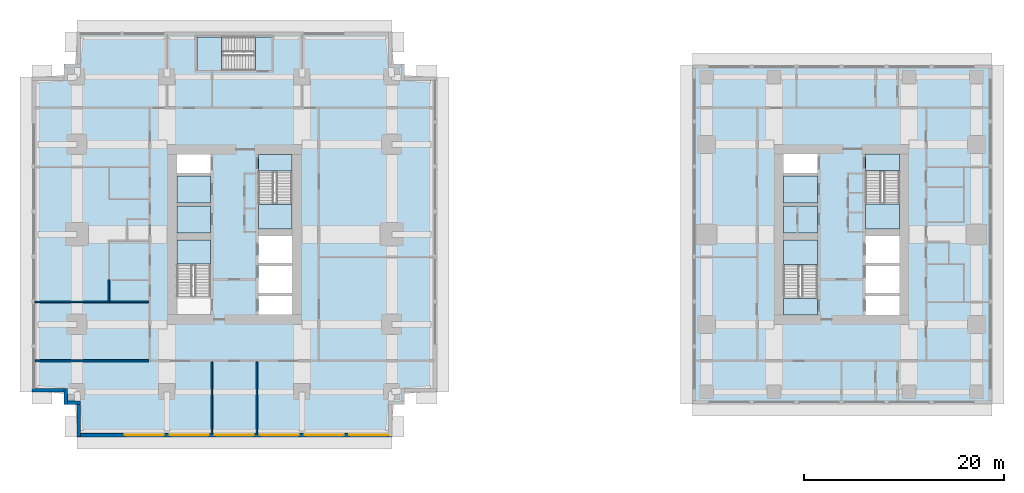
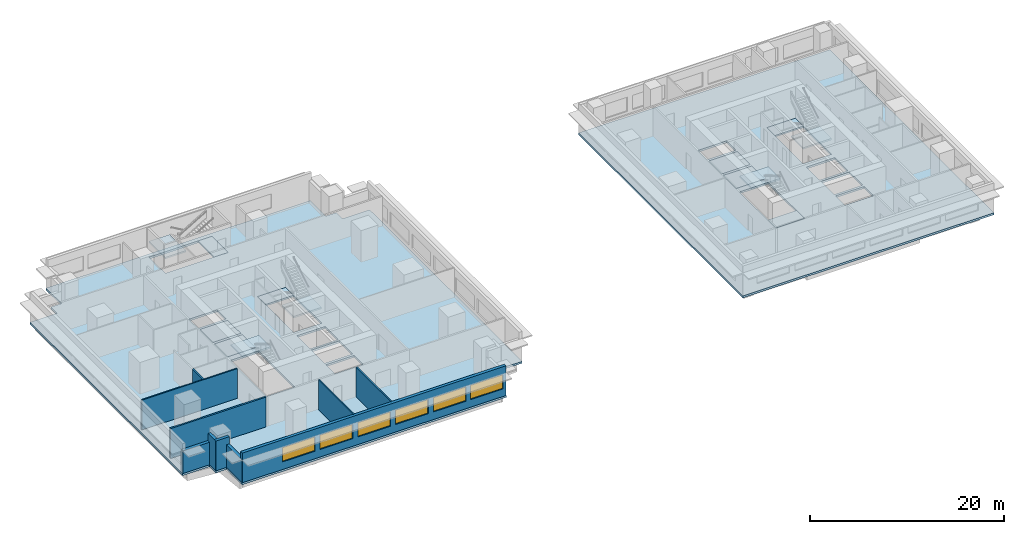
# One storey, part 2 of 11: 15 slabs, 10 walls, 6 windows, 6 openings, 5 elements without a shape of their own.
"""IFC4 building model written with IfcOpenShell, lengths in metres."""

from ifc_helpers import new_model, si_unit, direction, frame, frame_2d, origin, place, context, subcontext, project, spatial, polyline, rectangle, outline, extrude, material, layer, layer_set, type_object, element, fill, aggregate, save


model = new_model("IFC4")

# Units and contexts
model_context = context("Model", 3, precision=1e-05, world=origin(), true_north=direction((0.0, 1.0)))
body_context = subcontext(model_context, "Body", "Model", "MODEL_VIEW")
ifc_project = project(units=[si_unit("LENGTHUNIT", "METRE"), si_unit("AREAUNIT", "SQUARE_METRE"), si_unit("VOLUMEUNIT", "CUBIC_METRE"), si_unit("PLANEANGLEUNIT", "RADIAN"), si_unit("MASSUNIT", "GRAM", prefix="KILO")], contexts=[model_context])

# Site, building, storey
site_placement = place(None, origin())
site = spatial("IfcSite", under=ifc_project, at=site_placement, CompositionType="ELEMENT")
building_placement = place(site_placement, origin())
building = spatial("IfcBuilding", under=site, at=building_placement, Name="Namib Vertical Campus", CompositionType="ELEMENT")
storey_placement = place(building_placement, frame((0.0, 0.0, 197.0)))
storey = spatial("IfcBuildingStorey", under=building, at=storey_placement, Name="L46", CompositionType="ELEMENT", Elevation=197.0)

# Slabs
ifc_material_1 = material(Name="Concrete C40/50", Category="concrete")
ifc_layer_1 = layer(ifc_material_1, 0.25)
ifc_layer_set_1 = layer_set([ifc_layer_1], Name="Concrete C40/50")
slab_type_1 = type_object("IfcSlabType", Name="Floor slab 250", PredefinedType="FLOOR", material=ifc_layer_set_1)
slab_1_placement = place(storey_placement, frame((0.0, 0.0, -0.25)))
element("IfcSlab", 1, at=slab_1_placement, inside=storey, type_object=slab_type_1, Name="Floor slab A L46", PredefinedType="FLOOR", context=body_context, shape_type="SweptSolid", body=[
    extrude(outline(polyline([(4.5, 0.0), (36.0, 0.0), (36.0, 3.22509765625), (37.27490234375, 3.22509765625), (37.27490234375, 4.5), (40.5, 4.5), (40.5, 36.0), (37.27490234375, 36.0), (37.27490234375, 37.27490234375), (36.0, 37.27490234375), (36.0, 40.5), (4.5, 40.5), (4.5, 37.27490234375), (3.22509765625, 37.27490234375), (3.22509765625, 36.0), (0.0, 36.0), (0.0, 4.5), (3.22509765625, 4.5), (3.22509765625, 3.22509765625), (4.5, 3.22509765625), (4.5, 0.0)]), holes=[polyline([(14.5, 12.25), (17.85009765625, 12.25), (17.85009765625, 19.699951171875), (14.5, 19.699951171875), (14.5, 12.25)]), polyline([(22.64990234375, 20.800048828125), (26.0, 20.800048828125), (26.0, 28.25), (22.64990234375, 28.25), (22.64990234375, 20.800048828125)]), polyline([(22.64990234375, 12.25), (26.0, 12.25), (26.0, 14.10009765625), (22.64990234375, 14.10009765625), (22.64990234375, 12.25)]), polyline([(14.5, 20.39990234375), (17.85009765625, 20.39990234375), (17.85009765625, 23.10009765625), (14.5, 23.10009765625), (14.5, 20.39990234375)]), polyline([(14.5, 23.39990234375), (17.85009765625, 23.39990234375), (17.85009765625, 26.10009765625), (14.5, 26.10009765625), (14.5, 23.39990234375)]), polyline([(14.5, 26.39990234375), (17.85009765625, 26.39990234375), (17.85009765625, 28.25), (14.5, 28.25), (14.5, 26.39990234375)]), polyline([(22.64990234375, 14.39990234375), (26.0, 14.39990234375), (26.0, 17.10009765625), (22.64990234375, 17.10009765625), (22.64990234375, 14.39990234375)]), polyline([(22.64990234375, 17.39990234375), (26.0, 17.39990234375), (26.0, 20.10009765625), (22.64990234375, 20.10009765625), (22.64990234375, 17.39990234375)]), polyline([(16.5, 36.64990234375), (24.0, 36.64990234375), (24.0, 40.0), (16.5, 40.0), (16.5, 36.64990234375)])]), origin(), (0.0, 0.0, 1.0), 0.25),
])
slab_2_placement = place(storey_placement, frame((0.0, 0.0, -0.25)))
element("IfcSlab", 2, at=slab_2_placement, inside=storey, type_object=slab_type_1, Name="Floor slab B L46", PredefinedType="FLOOR", context=body_context, shape_type="SweptSolid", body=[
    extrude(outline(polyline([(66.10009765625, 3.300048828125), (96.050048828125, 3.300048828125), (96.050048828125, 37.199951171875), (66.10009765625, 37.199951171875), (66.10009765625, 3.300048828125)]), holes=[polyline([(75.199951171875, 12.199951171875), (78.60009765625, 12.199951171875), (78.60009765625, 19.699951171875), (75.199951171875, 19.699951171875), (75.199951171875, 12.199951171875)]), polyline([(83.39990234375, 20.800048828125), (86.800048828125, 20.800048828125), (86.800048828125, 28.300048828125), (83.39990234375, 28.300048828125), (83.39990234375, 20.800048828125)]), polyline([(83.39990234375, 12.199951171875), (86.800048828125, 12.199951171875), (86.800048828125, 14.10009765625), (83.39990234375, 14.10009765625), (83.39990234375, 12.199951171875)]), polyline([(75.199951171875, 20.39990234375), (78.60009765625, 20.39990234375), (78.60009765625, 23.10009765625), (75.199951171875, 23.10009765625), (75.199951171875, 20.39990234375)]), polyline([(75.199951171875, 23.39990234375), (78.60009765625, 23.39990234375), (78.60009765625, 26.10009765625), (75.199951171875, 26.10009765625), (75.199951171875, 23.39990234375)]), polyline([(75.199951171875, 26.39990234375), (78.60009765625, 26.39990234375), (78.60009765625, 28.300048828125), (75.199951171875, 28.300048828125), (75.199951171875, 26.39990234375)]), polyline([(83.39990234375, 14.39990234375), (86.800048828125, 14.39990234375), (86.800048828125, 17.10009765625), (83.39990234375, 17.10009765625), (83.39990234375, 14.39990234375)]), polyline([(83.39990234375, 17.39990234375), (86.800048828125, 17.39990234375), (86.800048828125, 20.10009765625), (83.39990234375, 20.10009765625), (83.39990234375, 17.39990234375)])]), origin(), (0.0, 0.0, 1.0), 0.25),
])
ifc_material_2 = material(Name="Concrete C40/50 precast", Category="concrete")
ifc_layer_2 = layer(ifc_material_2, 0.25)
ifc_layer_set_2 = layer_set([ifc_layer_2], Name="Concrete C40/50 precast")
slab_type_2 = type_object("IfcSlabType", Name="Shaft infill floor 250", PredefinedType="FLOOR", material=ifc_layer_set_2)
slab_3_placement = place(storey_placement, frame((0.0, 0.0, -0.25)))
element("IfcSlab", 3, at=slab_3_placement, inside=storey, type_object=slab_type_2, Name="Shaft infill floor A L46 P1", PredefinedType="FLOOR", context=body_context, shape_type="SweptSolid", body=[
    extrude(outline(polyline([(14.5, 20.39990234375), (17.85009765625, 20.39990234375), (17.85009765625, 23.10009765625), (14.5, 23.10009765625), (14.5, 20.39990234375)])), origin(), (0.0, 0.0, 1.0), 0.25),
])
slab_4_placement = place(storey_placement, frame((0.0, 0.0, -0.25)))
element("IfcSlab", 4, at=slab_4_placement, inside=storey, type_object=slab_type_2, Name="Shaft infill floor A L46 P2", PredefinedType="FLOOR", context=body_context, shape_type="SweptSolid", body=[
    extrude(outline(polyline([(14.5, 23.39990234375), (17.85009765625, 23.39990234375), (17.85009765625, 26.10009765625), (14.5, 26.10009765625), (14.5, 23.39990234375)])), origin(), (0.0, 0.0, 1.0), 0.25),
])
slab_5_placement = place(storey_placement, frame((0.0, 0.0, -0.25)))
element("IfcSlab", 5, at=slab_5_placement, inside=storey, type_object=slab_type_2, Name="Shaft infill floor B L46 P1", PredefinedType="FLOOR", context=body_context, shape_type="SweptSolid", body=[
    extrude(outline(polyline([(75.199951171875, 20.39990234375), (78.60009765625, 20.39990234375), (78.60009765625, 23.10009765625), (75.199951171875, 23.10009765625), (75.199951171875, 20.39990234375)])), origin(), (0.0, 0.0, 1.0), 0.25),
])
slab_6_placement = place(storey_placement, frame((0.0, 0.0, -0.25)))
element("IfcSlab", 6, at=slab_6_placement, inside=storey, type_object=slab_type_2, Name="Shaft infill floor B L46 P2", PredefinedType="FLOOR", context=body_context, shape_type="SweptSolid", body=[
    extrude(outline(polyline([(75.199951171875, 23.39990234375), (78.60009765625, 23.39990234375), (78.60009765625, 26.10009765625), (75.199951171875, 26.10009765625), (75.199951171875, 23.39990234375)])), origin(), (0.0, 0.0, 1.0), 0.25),
])

# Stair, slab
ifc_material_3 = material(Name="Concrete C40/50 precast", Category="concrete")
stair_type_1 = type_object("IfcStairType", Name="Exit stair 4000 rise 24 risers 3350 wide", PredefinedType="HALF_TURN_STAIR", material=ifc_material_3)
stair_1_placement = place(storey_placement, origin())
stair_1 = element("IfcStair", 7, at=stair_1_placement, inside=storey, type_object=stair_type_1, Name="Exit stair A-S1 L46", PredefinedType="HALF_TURN_STAIR")
ifc_material_4 = material(Name="Concrete C40/50", Category="concrete")
ifc_layer_3 = layer(ifc_material_4, 0.199951171875)
ifc_layer_set_3 = layer_set([ifc_layer_3], Name="Concrete C40/50")
slab_type_3 = type_object("IfcSlabType", Name="Stair landing 200", PredefinedType="LANDING", material=ifc_layer_set_3)
slab_7_placement = place(storey_placement, frame((0.0, 0.0, 1.800048828125)))
slab_7 = element("IfcSlab", 8, at=slab_7_placement, type_object=slab_type_3, Name="A-S1 landing 2", PredefinedType="LANDING", context=body_context, shape_type="SweptSolid", body=[
    extrude(outline(polyline([(14.5, 17.276123046875), (17.85009765625, 17.276123046875), (17.85009765625, 19.699951171875), (14.5, 19.699951171875), (14.5, 17.276123046875)])), origin(), (0.0, 0.0, 1.0), 0.199951171875),
])
aggregate(stair_1, [slab_7])

# Stair, slabs
stair_2_placement = place(storey_placement, origin())
stair_2 = element("IfcStair", 9, at=stair_2_placement, inside=storey, type_object=stair_type_1, Name="Exit stair A-S2 L46", PredefinedType="HALF_TURN_STAIR")
slab_8_placement = place(storey_placement, frame((0.0, 0.0, -0.199951171875)))
slab_8 = element("IfcSlab", 10, at=slab_8_placement, type_object=slab_type_3, Name="A-S2 landing 1", PredefinedType="LANDING", context=body_context, shape_type="SweptSolid", body=[
    extrude(outline(polyline([(22.64990234375, 26.59619140625), (26.0, 26.59619140625), (26.0, 28.25), (22.64990234375, 28.25), (22.64990234375, 26.59619140625)])), origin(), (0.0, 0.0, 1.0), 0.199951171875),
])
slab_9_placement = place(storey_placement, frame((0.0, 0.0, 1.800048828125)))
slab_9 = element("IfcSlab", 11, at=slab_9_placement, type_object=slab_type_3, Name="A-S2 landing 2", PredefinedType="LANDING", context=body_context, shape_type="SweptSolid", body=[
    extrude(outline(polyline([(22.64990234375, 20.800048828125), (26.0, 20.800048828125), (26.0, 23.223876953125), (22.64990234375, 23.223876953125), (22.64990234375, 20.800048828125)])), origin(), (0.0, 0.0, 1.0), 0.199951171875),
])
aggregate(stair_2, [slab_8, slab_9])

ifc_material_5 = material(Name="Concrete C40/50 precast", Category="concrete")
stair_type_2 = type_object("IfcStairType", Name="Exit stair 4000 rise 24 risers 3400 wide", PredefinedType="HALF_TURN_STAIR", material=ifc_material_5)
stair_3_placement = place(storey_placement, origin())
stair_3 = element("IfcStair", 12, at=stair_3_placement, inside=storey, type_object=stair_type_2, Name="Exit stair B-S1 L46", PredefinedType="HALF_TURN_STAIR")
slab_10_placement = place(storey_placement, frame((0.0, 0.0, -0.199951171875)))
slab_10 = element("IfcSlab", 13, at=slab_10_placement, type_object=slab_type_3, Name="B-S1 landing 1", PredefinedType="LANDING", context=body_context, shape_type="SweptSolid", body=[
    extrude(outline(polyline([(75.199951171875, 12.199951171875), (78.60009765625, 12.199951171875), (78.60009765625, 13.85400390625), (75.199951171875, 13.85400390625), (75.199951171875, 12.199951171875)])), origin(), (0.0, 0.0, 1.0), 0.199951171875),
])
slab_11_placement = place(storey_placement, frame((0.0, 0.0, 1.800048828125)))
slab_11 = element("IfcSlab", 14, at=slab_11_placement, type_object=slab_type_3, Name="B-S1 landing 2", PredefinedType="LANDING", context=body_context, shape_type="SweptSolid", body=[
    extrude(outline(polyline([(75.199951171875, 17.22607421875), (78.60009765625, 17.22607421875), (78.60009765625, 19.699951171875), (75.199951171875, 19.699951171875), (75.199951171875, 17.22607421875)])), origin(), (0.0, 0.0, 1.0), 0.199951171875),
])
aggregate(stair_3, [slab_10, slab_11])

stair_4_placement = place(storey_placement, origin())
stair_4 = element("IfcStair", 15, at=stair_4_placement, inside=storey, type_object=stair_type_2, Name="Exit stair B-S2 L46", PredefinedType="HALF_TURN_STAIR")
slab_12_placement = place(storey_placement, frame((0.0, 0.0, -0.199951171875)))
slab_12 = element("IfcSlab", 16, at=slab_12_placement, type_object=slab_type_3, Name="B-S2 landing 1", PredefinedType="LANDING", context=body_context, shape_type="SweptSolid", body=[
    extrude(outline(polyline([(83.39990234375, 26.64599609375), (86.800048828125, 26.64599609375), (86.800048828125, 28.300048828125), (83.39990234375, 28.300048828125), (83.39990234375, 26.64599609375)])), origin(), (0.0, 0.0, 1.0), 0.199951171875),
])
slab_13_placement = place(storey_placement, frame((0.0, 0.0, 1.800048828125)))
slab_13 = element("IfcSlab", 17, at=slab_13_placement, type_object=slab_type_3, Name="B-S2 landing 2", PredefinedType="LANDING", context=body_context, shape_type="SweptSolid", body=[
    extrude(outline(polyline([(83.39990234375, 20.800048828125), (86.800048828125, 20.800048828125), (86.800048828125, 23.27392578125), (83.39990234375, 23.27392578125), (83.39990234375, 20.800048828125)])), origin(), (0.0, 0.0, 1.0), 0.199951171875),
])
aggregate(stair_4, [slab_12, slab_13])

stair_5_placement = place(storey_placement, origin())
stair_5 = element("IfcStair", 18, at=stair_5_placement, inside=storey, type_object=stair_type_1, Name="Exit stair A-S3 L46", PredefinedType="HALF_TURN_STAIR")
slab_14_placement = place(storey_placement, frame((0.0, 0.0, -0.199951171875)))
slab_14 = element("IfcSlab", 19, at=slab_14_placement, type_object=slab_type_3, Name="A-S3 landing 1", PredefinedType="LANDING", context=body_context, shape_type="SweptSolid", body=[
    extrude(outline(polyline([(22.34619140625, 36.64990234375), (22.34619140625, 40.0), (24.0, 40.0), (24.0, 36.64990234375), (22.34619140625, 36.64990234375)])), origin(), (0.0, 0.0, 1.0), 0.199951171875),
])
slab_15_placement = place(storey_placement, frame((0.0, 0.0, 1.800048828125)))
slab_15 = element("IfcSlab", 20, at=slab_15_placement, type_object=slab_type_3, Name="A-S3 landing 2", PredefinedType="LANDING", context=body_context, shape_type="SweptSolid", body=[
    extrude(outline(polyline([(16.5, 36.64990234375), (16.5, 40.0), (18.973876953125, 40.0), (18.973876953125, 36.64990234375), (16.5, 36.64990234375)])), origin(), (0.0, 0.0, 1.0), 0.199951171875),
])
aggregate(stair_5, [slab_14, slab_15])

# Wall
ifc_material_6 = material(Name="Concrete masonry", Category="masonry")
ifc_layer_4 = layer(ifc_material_6, 0.199951171875)
ifc_layer_set_4 = layer_set([ifc_layer_4], Name="Corridor wall 200")
wall_type_1 = type_object("IfcWallType", Name="Corridor wall 200", PredefinedType="SOLIDWALL", material=ifc_layer_set_4)
wall_1_placement = place(storey_placement, frame((0.300048828125, 7.60009765625, 0.0), z_axis=(0.0, 0.0, 1.0), x_axis=(1.0, 0.0, 0.0)))
element("IfcWall", 21, at=wall_1_placement, inside=storey, type_object=wall_type_1, Name="Partition A L46 BSW", PredefinedType="SOLIDWALL", context=body_context, shape_type="SweptSolid", body=[
    extrude(rectangle(XDim=11.39990234375, YDim=0.199951171875, at=frame_2d((5.699951171875, 0.0))), origin(), (0.0, 0.0, 1.0), 3.75),
])

# Wall, openings, windows
ifc_material_7 = material(Name="Concrete C40/50", Category="concrete")
ifc_layer_5 = layer(ifc_material_7, 0.35009765625)
ifc_layer_set_5 = layer_set([ifc_layer_5], Name="Concrete C40/50")
wall_type_2 = type_object("IfcWallType", Name="External wall 350 bush-hammered concrete", PredefinedType="STANDARD", material=ifc_layer_set_5)
wall_2_placement = place(storey_placement, frame((4.52001953125, 0.175048828125, 0.0), z_axis=(0.0, 0.0, 1.0), x_axis=(1.0, 0.0, 0.0)))
wall_2 = element("IfcWall", 22, at=wall_2_placement, inside=storey, type_object=wall_type_2, Name="External wall L46 F01", PredefinedType="STANDARD", context=body_context, shape_type="SweptSolid", body=[
    extrude(rectangle(XDim=31.4599609375, YDim=0.35009765625, at=frame_2d((15.72998046875, 0.0))), origin(), (0.0, 0.0, 1.0), 3.75),
])
opening_1_placement = place(wall_2_placement, frame((4.780029296875, 0.0, 0.949951171875)))
opening_1 = element("IfcOpeningElement", 23, at=opening_1_placement, cuts=wall_2, Name="Opening W3", PredefinedType="OPENING", context=body_context, shape_type="SweptSolid", body=[
    extrude(rectangle(XDim=3.89990234375, YDim=1.800048828125, at=frame_2d((1.949951171875, 0.89990234375))), frame((0.0, 0.18505859375, 0.0), z_axis=(0.0, -1.0, 0.0), x_axis=(1.0, 0.0, 0.0)), (0.0, 0.0, 1.0), 0.3701171875),
])
opening_2_placement = place(wall_2_placement, frame((9.280029296875, 0.0, 0.949951171875)))
opening_2 = element("IfcOpeningElement", 24, at=opening_2_placement, cuts=wall_2, Name="Opening W3", PredefinedType="OPENING", context=body_context, shape_type="SweptSolid", body=[
    extrude(rectangle(XDim=3.89990234375, YDim=1.800048828125, at=frame_2d((1.949951171875, 0.89990234375))), frame((0.0, 0.18505859375, 0.0), z_axis=(0.0, -1.0, 0.0), x_axis=(1.0, 0.0, 0.0)), (0.0, 0.0, 1.0), 0.3701171875),
])
opening_3_placement = place(wall_2_placement, frame((13.780029296875, 0.0, 0.949951171875)))
opening_3 = element("IfcOpeningElement", 25, at=opening_3_placement, cuts=wall_2, Name="Opening W3", PredefinedType="OPENING", context=body_context, shape_type="SweptSolid", body=[
    extrude(rectangle(XDim=3.89990234375, YDim=1.800048828125, at=frame_2d((1.949951171875, 0.89990234375))), frame((0.0, 0.18505859375, 0.0), z_axis=(0.0, -1.0, 0.0), x_axis=(1.0, 0.0, 0.0)), (0.0, 0.0, 1.0), 0.3701171875),
])
opening_4_placement = place(wall_2_placement, frame((18.280029296875, 0.0, 0.949951171875)))
opening_4 = element("IfcOpeningElement", 26, at=opening_4_placement, cuts=wall_2, Name="Opening W3", PredefinedType="OPENING", context=body_context, shape_type="SweptSolid", body=[
    extrude(rectangle(XDim=3.89990234375, YDim=1.800048828125, at=frame_2d((1.949951171875, 0.89990234375))), frame((0.0, 0.18505859375, 0.0), z_axis=(0.0, -1.0, 0.0), x_axis=(1.0, 0.0, 0.0)), (0.0, 0.0, 1.0), 0.3701171875),
])
opening_5_placement = place(wall_2_placement, frame((22.780029296875, 0.0, 0.949951171875)))
opening_5 = element("IfcOpeningElement", 27, at=opening_5_placement, cuts=wall_2, Name="Opening W3", PredefinedType="OPENING", context=body_context, shape_type="SweptSolid", body=[
    extrude(rectangle(XDim=3.89990234375, YDim=1.800048828125, at=frame_2d((1.949951171875, 0.89990234375))), frame((0.0, 0.18505859375, 0.0), z_axis=(0.0, -1.0, 0.0), x_axis=(1.0, 0.0, 0.0)), (0.0, 0.0, 1.0), 0.3701171875),
])
opening_6_placement = place(wall_2_placement, frame((27.2099609375, 0.0, 0.949951171875)))
opening_6 = element("IfcOpeningElement", 28, at=opening_6_placement, cuts=wall_2, Name="Opening W3", PredefinedType="OPENING", context=body_context, shape_type="SweptSolid", body=[
    extrude(rectangle(XDim=3.89990234375, YDim=1.800048828125, at=frame_2d((1.949951171875, 0.89990234375))), frame((0.0, 0.18505859375, 0.0), z_axis=(0.0, -1.0, 0.0), x_axis=(1.0, 0.0, 0.0)), (0.0, 0.0, 1.0), 0.3701171875),
])
ifc_material_8 = material(Name="Dark tinted glass in black aluminium frame", Category="aluminium")
window_type = type_object("IfcWindowType", Name="Ribbon window 3900x1800", PartitioningType="SINGLE_PANEL", PredefinedType="WINDOW", material=ifc_material_8)
window_1_placement = place(opening_1_placement, origin())
window_1 = element("IfcWindow", 29, at=window_1_placement, inside=storey, type_object=window_type, Name="Window W3 L46 F01-2", OverallHeight=1.800048828125, OverallWidth=3.89990234375, PartitioningType="SINGLE_PANEL", PredefinedType="WINDOW", context=body_context, shape_type="SweptSolid", body=[
    extrude(rectangle(XDim=3.89990234375, YDim=1.800048828125, at=frame_2d((1.949951171875, 0.89990234375))), frame((0.0, 0.030029296875, 0.0), z_axis=(0.0, -1.0, 0.0), x_axis=(1.0, 0.0, 0.0)), (0.0, 0.0, 1.0), 0.06005859375),
])
fill(opening_1, window_1)
window_2_placement = place(opening_2_placement, origin())
window_2 = element("IfcWindow", 30, at=window_2_placement, inside=storey, type_object=window_type, Name="Window W3 L46 F01-3", OverallHeight=1.800048828125, OverallWidth=3.89990234375, PartitioningType="SINGLE_PANEL", PredefinedType="WINDOW", context=body_context, shape_type="SweptSolid", body=[
    extrude(rectangle(XDim=3.89990234375, YDim=1.800048828125, at=frame_2d((1.949951171875, 0.89990234375))), frame((0.0, 0.030029296875, 0.0), z_axis=(0.0, -1.0, 0.0), x_axis=(1.0, 0.0, 0.0)), (0.0, 0.0, 1.0), 0.06005859375),
])
fill(opening_2, window_2)
window_3_placement = place(opening_3_placement, origin())
window_3 = element("IfcWindow", 31, at=window_3_placement, inside=storey, type_object=window_type, Name="Window W3 L46 F01-4", OverallHeight=1.800048828125, OverallWidth=3.89990234375, PartitioningType="SINGLE_PANEL", PredefinedType="WINDOW", context=body_context, shape_type="SweptSolid", body=[
    extrude(rectangle(XDim=3.89990234375, YDim=1.800048828125, at=frame_2d((1.949951171875, 0.89990234375))), frame((0.0, 0.030029296875, 0.0), z_axis=(0.0, -1.0, 0.0), x_axis=(1.0, 0.0, 0.0)), (0.0, 0.0, 1.0), 0.06005859375),
])
fill(opening_3, window_3)
window_4_placement = place(opening_4_placement, origin())
window_4 = element("IfcWindow", 32, at=window_4_placement, inside=storey, type_object=window_type, Name="Window W3 L46 F01-5", OverallHeight=1.800048828125, OverallWidth=3.89990234375, PartitioningType="SINGLE_PANEL", PredefinedType="WINDOW", context=body_context, shape_type="SweptSolid", body=[
    extrude(rectangle(XDim=3.89990234375, YDim=1.800048828125, at=frame_2d((1.949951171875, 0.89990234375))), frame((0.0, 0.030029296875, 0.0), z_axis=(0.0, -1.0, 0.0), x_axis=(1.0, 0.0, 0.0)), (0.0, 0.0, 1.0), 0.06005859375),
])
fill(opening_4, window_4)
window_5_placement = place(opening_5_placement, origin())
window_5 = element("IfcWindow", 33, at=window_5_placement, inside=storey, type_object=window_type, Name="Window W3 L46 F01-6", OverallHeight=1.800048828125, OverallWidth=3.89990234375, PartitioningType="SINGLE_PANEL", PredefinedType="WINDOW", context=body_context, shape_type="SweptSolid", body=[
    extrude(rectangle(XDim=3.89990234375, YDim=1.800048828125, at=frame_2d((1.949951171875, 0.89990234375))), frame((0.0, 0.030029296875, 0.0), z_axis=(0.0, -1.0, 0.0), x_axis=(1.0, 0.0, 0.0)), (0.0, 0.0, 1.0), 0.06005859375),
])
fill(opening_5, window_5)
window_6_placement = place(opening_6_placement, origin())
window_6 = element("IfcWindow", 34, at=window_6_placement, inside=storey, type_object=window_type, Name="Window W3 L46 F01-7", OverallHeight=1.800048828125, OverallWidth=3.89990234375, PartitioningType="SINGLE_PANEL", PredefinedType="WINDOW", context=body_context, shape_type="SweptSolid", body=[
    extrude(rectangle(XDim=3.89990234375, YDim=1.800048828125, at=frame_2d((1.949951171875, 0.89990234375))), frame((0.0, 0.030029296875, 0.0), z_axis=(0.0, -1.0, 0.0), x_axis=(1.0, 0.0, 0.0)), (0.0, 0.0, 1.0), 0.06005859375),
])
fill(opening_6, window_6)

# Walls
wall_3_placement = place(storey_placement, frame((0.02001953125, 4.675048828125, 0.0), z_axis=(0.0, 0.0, 1.0), x_axis=(1.0, 0.0, 0.0)))
element("IfcWall", 35, at=wall_3_placement, inside=storey, type_object=wall_type_2, Name="External wall L46 F17", PredefinedType="STANDARD", context=body_context, shape_type="SweptSolid", body=[
    extrude(rectangle(XDim=3.534912109375, YDim=0.35009765625, at=frame_2d((1.767578125, 0.0))), origin(), (0.0, 0.0, 1.0), 2.85009765625),
])
for number, where, z_axis, x_axis, name in (
    (36, (3.39990234375, 4.830078125, 0.0), (0.0, 0.0, 1.0), (0.0, -1.0, 0.0), "External wall L46 F18"),
    (37, (3.2451171875, 3.39990234375, 0.0), (0.0, 0.0, 1.0), (1.0, 0.0, 0.0), "External wall L46 F19"),
):
    element("IfcWall", number, at=place(storey_placement, frame(where, z_axis=z_axis, x_axis=x_axis)), inside=storey, type_object=wall_type_2, Name=name, PredefinedType="STANDARD", context=body_context, shape_type="SweptSolid", body=[
        extrude(rectangle(XDim=1.5849609375, YDim=0.35009765625, at=frame_2d((0.79248046875, 0.0))), origin(), (0.0, 0.0, 1.0), 3.75),
    ])
wall_4_placement = place(storey_placement, frame((4.675048828125, 3.554931640625, 0.0), z_axis=(0.0, 0.0, 1.0), x_axis=(0.0, -1.0, 0.0)))
element("IfcWall", 38, at=wall_4_placement, inside=storey, type_object=wall_type_2, Name="External wall L46 F20", PredefinedType="STANDARD", context=body_context, shape_type="SweptSolid", body=[
    extrude(rectangle(XDim=3.534912109375, YDim=0.35009765625, at=frame_2d((1.767578125, 0.0))), origin(), (0.0, 0.0, 1.0), 2.85009765625),
])
ifc_material_9 = material(Name="Gypsum board on steel studs", Category="steel")
ifc_layer_6 = layer(ifc_material_9, 0.14990234375)
ifc_layer_set_6 = layer_set([ifc_layer_6], Name="Gypsum board on steel studs")
wall_type_3 = type_object("IfcWallType", Name="Partition 150", PredefinedType="PARTITIONING", material=ifc_layer_set_6)
for number, where, z_axis, x_axis, name in (
    (39, (18.0, 0.300048828125, 0.0), (0.0, 0.0, 1.0), (0.0, 1.0, 0.0), "Partition A L46 PS1"),
    (40, (22.5, 0.300048828125, 0.0), (0.0, 0.0, 1.0), (0.0, 1.0, 0.0), "Partition A L46 PS2"),
):
    element("IfcWall", number, at=place(storey_placement, frame(where, z_axis=z_axis, x_axis=x_axis)), inside=storey, type_object=wall_type_3, Name=name, PredefinedType="PARTITIONING", context=body_context, shape_type="SweptSolid", body=[
        extrude(rectangle(XDim=7.199951171875, YDim=0.14990234375, at=frame_2d((3.60009765625, 0.0))), origin(), (0.0, 0.0, 1.0), 3.75),
    ])
wall_5_placement = place(storey_placement, frame((0.300048828125, 13.5, 0.0), z_axis=(0.0, 0.0, 1.0), x_axis=(1.0, 0.0, 0.0)))
element("IfcWall", 41, at=wall_5_placement, inside=storey, type_object=wall_type_3, Name="Partition A L46 PW1", PredefinedType="PARTITIONING", context=body_context, shape_type="SweptSolid", body=[
    extrude(rectangle(XDim=11.39990234375, YDim=0.14990234375, at=frame_2d((5.699951171875, 0.0))), origin(), (0.0, 0.0, 1.0), 3.75),
])
wall_6_placement = place(storey_placement, frame((7.699951171875, 13.5, 0.0), z_axis=(0.0, 0.0, 1.0), x_axis=(0.0, 1.0, 0.0)))
element("IfcWall", 42, at=wall_6_placement, inside=storey, type_object=wall_type_3, Name="Partition A L46 WB1", PredefinedType="PARTITIONING", context=body_context, shape_type="SweptSolid", body=[
    extrude(rectangle(XDim=2.199951171875, YDim=0.14990234375, at=frame_2d((1.10009765625, 0.0))), origin(), (0.0, 0.0, 1.0), 3.75),
])

save(model, "model.ifc")
